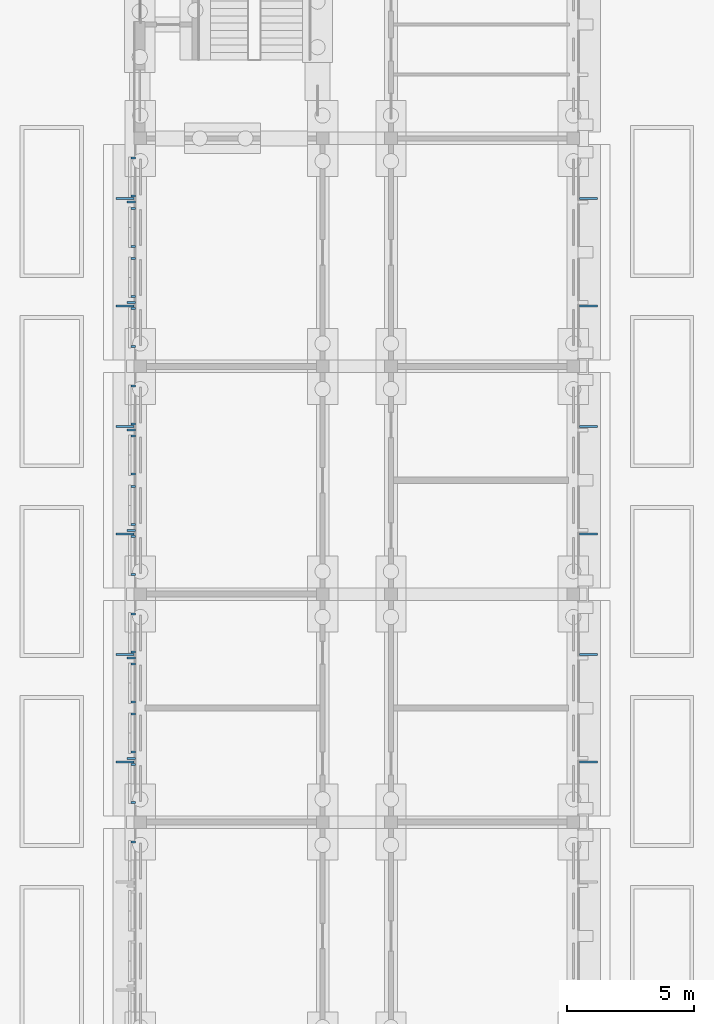
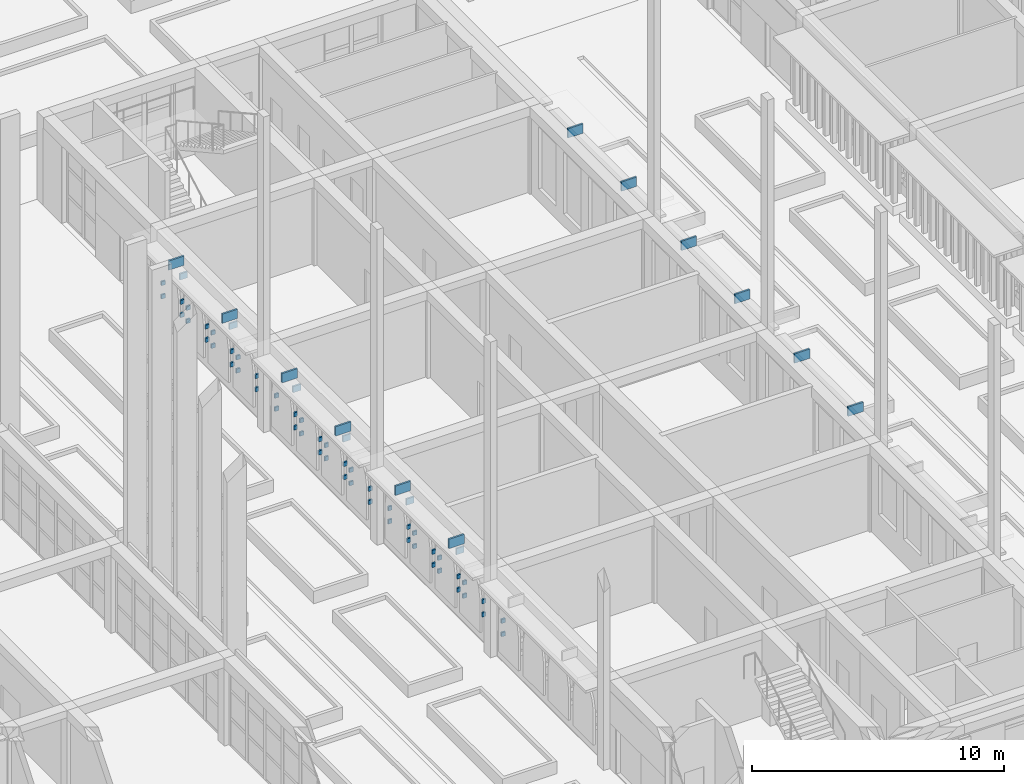
# One storey, part 81 of 161: 68 discrete accessories.
"""IFC4 building model written with IfcOpenShell, lengths in metres."""

from ifc_helpers import new_model, si_unit, direction, frame, origin, origin_2d, place, context, subcontext, project, spatial, rectangle, extrude, material, type_object, element, save


model = new_model("IFC4")

# Units and contexts
model_context = context("Model", 3, precision=1e-05, world=origin(), true_north=direction((0.0, 1.0)))
body_context = subcontext(model_context, "Body", "Model", "MODEL_VIEW")
ifc_project = project(units=[si_unit("LENGTHUNIT", "METRE"), si_unit("AREAUNIT", "SQUARE_METRE"), si_unit("VOLUMEUNIT", "CUBIC_METRE"), si_unit("PLANEANGLEUNIT", "RADIAN"), si_unit("MASSUNIT", "GRAM", prefix="KILO")], contexts=[model_context])

# Site, building, storey
site_placement = place(None, origin())
site = spatial("IfcSite", under=ifc_project, at=site_placement, CompositionType="ELEMENT")
building_placement = place(site_placement, origin())
building = spatial("IfcBuilding", under=site, at=building_placement, Name="Elbe Cascade School", CompositionType="ELEMENT")
storey_placement = place(building_placement, origin())
storey = spatial("IfcBuildingStorey", under=building, at=storey_placement, Name="L00", CompositionType="ELEMENT", Elevation=0.0)

# Discrete accessories
ifc_material = material(Name="Steel S355J2, hot-dip galvanised", Category="steel")
discrete_accessory_type = type_object("IfcDiscreteAccessoryType", Name="Bars envelope Bracket, galvanised steel", PredefinedType="BRACKET", material=ifc_material)
for number, where, z_axis, x_axis, name in (
    (1, (98.330078125, 23.219970703125, 1.2998046875), (0.0, 0.0, 1.0), (0.0, 1.0, 0.0), "Bracket AC7 jali.w.2.br4rl"),
    (2, (98.330078125, 23.219970703125, 1.93994140625), (0.0, 0.0, 1.0), (0.0, 1.0, 0.0), "Bracket AC7 jali.w.2.br4ru"),
):
    element("IfcDiscreteAccessory", number, at=place(storey_placement, frame(where, z_axis=z_axis, x_axis=x_axis)), inside=storey, type_object=discrete_accessory_type, Name=name, PredefinedType="BRACKET", context=body_context, shape_type="SweptSolid", body=[
        extrude(rectangle(XDim=0.080078125, YDim=0.179931640625, at=origin_2d()), origin(), (0.0, 0.0, 1.0), 0.199951171875),
    ])
for number, where, z_axis, x_axis, name in (
    (3, (98.2451171875, 26.52001953125, 3.330078125), (0.0, 0.0, 1.0), (0.0, 1.0, 0.0), "Bracket AC7 eave.w.3.br1"),
    (4, (98.2451171875, 30.47998046875, 3.330078125), (0.0, 0.0, 1.0), (0.0, 1.0, 0.0), "Bracket AC7 eave.w.3.br2"),
):
    element("IfcDiscreteAccessory", number, at=place(storey_placement, frame(where, z_axis=z_axis, x_axis=x_axis)), inside=storey, type_object=discrete_accessory_type, Name=name, PredefinedType="BRACKET", context=body_context, shape_type="SweptSolid", body=[
        extrude(rectangle(XDim=0.080078125, YDim=0.35009765625, at=origin_2d()), origin(), (0.0, 0.0, 1.0), 0.300048828125),
    ])
for number, where, z_axis, x_axis, name in (
    (5, (98.330078125, 24.780029296875, 1.2998046875), (0.0, 0.0, 1.0), (0.0, 1.0, 0.0), "Bracket AC7 jali.w.3.br1ll"),
    (6, (98.330078125, 24.780029296875, 1.93994140625), (0.0, 0.0, 1.0), (0.0, 1.0, 0.0), "Bracket AC7 jali.w.3.br1lu"),
    (7, (98.330078125, 26.280029296875, 1.2998046875), (0.0, 0.0, 1.0), (0.0, 1.0, 0.0), "Bracket AC7 jali.w.3.br1rl"),
    (8, (98.330078125, 26.280029296875, 1.93994140625), (0.0, 0.0, 1.0), (0.0, 1.0, 0.0), "Bracket AC7 jali.w.3.br1ru"),
    (9, (98.330078125, 26.760009765625, 1.2998046875), (0.0, 0.0, 1.0), (0.0, 1.0, 0.0), "Bracket AC7 jali.w.3.br2ll"),
    (10, (98.330078125, 26.760009765625, 1.93994140625), (0.0, 0.0, 1.0), (0.0, 1.0, 0.0), "Bracket AC7 jali.w.3.br2lu"),
    (11, (98.330078125, 28.260009765625, 1.2998046875), (0.0, 0.0, 1.0), (0.0, 1.0, 0.0), "Bracket AC7 jali.w.3.br2rl"),
    (12, (98.330078125, 28.260009765625, 1.93994140625), (0.0, 0.0, 1.0), (0.0, 1.0, 0.0), "Bracket AC7 jali.w.3.br2ru"),
    (13, (98.330078125, 28.739990234375, 1.2998046875), (0.0, 0.0, 1.0), (0.0, 1.0, 0.0), "Bracket AC7 jali.w.3.br3ll"),
    (14, (98.330078125, 28.739990234375, 1.93994140625), (0.0, 0.0, 1.0), (0.0, 1.0, 0.0), "Bracket AC7 jali.w.3.br3lu"),
    (15, (98.330078125, 30.239990234375, 1.2998046875), (0.0, 0.0, 1.0), (0.0, 1.0, 0.0), "Bracket AC7 jali.w.3.br3rl"),
    (16, (98.330078125, 30.239990234375, 1.93994140625), (0.0, 0.0, 1.0), (0.0, 1.0, 0.0), "Bracket AC7 jali.w.3.br3ru"),
    (17, (98.330078125, 30.719970703125, 1.2998046875), (0.0, 0.0, 1.0), (0.0, 1.0, 0.0), "Bracket AC7 jali.w.3.br4ll"),
    (18, (98.330078125, 30.719970703125, 1.93994140625), (0.0, 0.0, 1.0), (0.0, 1.0, 0.0), "Bracket AC7 jali.w.3.br4lu"),
    (19, (98.330078125, 32.219970703125, 1.2998046875), (0.0, 0.0, 1.0), (0.0, 1.0, 0.0), "Bracket AC7 jali.w.3.br4rl"),
    (20, (98.330078125, 32.219970703125, 1.93994140625), (0.0, 0.0, 1.0), (0.0, 1.0, 0.0), "Bracket AC7 jali.w.3.br4ru"),
):
    element("IfcDiscreteAccessory", number, at=place(storey_placement, frame(where, z_axis=z_axis, x_axis=x_axis)), inside=storey, type_object=discrete_accessory_type, Name=name, PredefinedType="BRACKET", context=body_context, shape_type="SweptSolid", body=[
        extrude(rectangle(XDim=0.080078125, YDim=0.179931640625, at=origin_2d()), origin(), (0.0, 0.0, 1.0), 0.199951171875),
    ])
for number, where, z_axis, x_axis, name in (
    (21, (98.2451171875, 35.52001953125, 3.330078125), (0.0, 0.0, 1.0), (0.0, 1.0, 0.0), "Bracket AC7 eave.w.4.br1"),
    (22, (98.2451171875, 39.47998046875, 3.330078125), (0.0, 0.0, 1.0), (0.0, 1.0, 0.0), "Bracket AC7 eave.w.4.br2"),
):
    element("IfcDiscreteAccessory", number, at=place(storey_placement, frame(where, z_axis=z_axis, x_axis=x_axis)), inside=storey, type_object=discrete_accessory_type, Name=name, PredefinedType="BRACKET", context=body_context, shape_type="SweptSolid", body=[
        extrude(rectangle(XDim=0.080078125, YDim=0.35009765625, at=origin_2d()), origin(), (0.0, 0.0, 1.0), 0.300048828125),
    ])
for number, where, z_axis, x_axis, name in (
    (23, (98.330078125, 33.780029296875, 1.2998046875), (0.0, 0.0, 1.0), (0.0, 1.0, 0.0), "Bracket AC7 jali.w.4.br1ll"),
    (24, (98.330078125, 33.780029296875, 1.93994140625), (0.0, 0.0, 1.0), (0.0, 1.0, 0.0), "Bracket AC7 jali.w.4.br1lu"),
    (25, (98.330078125, 35.280029296875, 1.2998046875), (0.0, 0.0, 1.0), (0.0, 1.0, 0.0), "Bracket AC7 jali.w.4.br1rl"),
    (26, (98.330078125, 35.280029296875, 1.93994140625), (0.0, 0.0, 1.0), (0.0, 1.0, 0.0), "Bracket AC7 jali.w.4.br1ru"),
    (27, (98.330078125, 35.760009765625, 1.2998046875), (0.0, 0.0, 1.0), (0.0, 1.0, 0.0), "Bracket AC7 jali.w.4.br2ll"),
    (28, (98.330078125, 35.760009765625, 1.93994140625), (0.0, 0.0, 1.0), (0.0, 1.0, 0.0), "Bracket AC7 jali.w.4.br2lu"),
    (29, (98.330078125, 37.260009765625, 1.2998046875), (0.0, 0.0, 1.0), (0.0, 1.0, 0.0), "Bracket AC7 jali.w.4.br2rl"),
    (30, (98.330078125, 37.260009765625, 1.93994140625), (0.0, 0.0, 1.0), (0.0, 1.0, 0.0), "Bracket AC7 jali.w.4.br2ru"),
    (31, (98.330078125, 37.739990234375, 1.2998046875), (0.0, 0.0, 1.0), (0.0, 1.0, 0.0), "Bracket AC7 jali.w.4.br3ll"),
    (32, (98.330078125, 37.739990234375, 1.93994140625), (0.0, 0.0, 1.0), (0.0, 1.0, 0.0), "Bracket AC7 jali.w.4.br3lu"),
    (33, (98.330078125, 39.239990234375, 1.2998046875), (0.0, 0.0, 1.0), (0.0, 1.0, 0.0), "Bracket AC7 jali.w.4.br3rl"),
    (34, (98.330078125, 39.239990234375, 1.93994140625), (0.0, 0.0, 1.0), (0.0, 1.0, 0.0), "Bracket AC7 jali.w.4.br3ru"),
    (35, (98.330078125, 39.719970703125, 1.2998046875), (0.0, 0.0, 1.0), (0.0, 1.0, 0.0), "Bracket AC7 jali.w.4.br4ll"),
    (36, (98.330078125, 39.719970703125, 1.93994140625), (0.0, 0.0, 1.0), (0.0, 1.0, 0.0), "Bracket AC7 jali.w.4.br4lu"),
    (37, (98.330078125, 41.219970703125, 1.2998046875), (0.0, 0.0, 1.0), (0.0, 1.0, 0.0), "Bracket AC7 jali.w.4.br4rl"),
    (38, (98.330078125, 41.219970703125, 1.93994140625), (0.0, 0.0, 1.0), (0.0, 1.0, 0.0), "Bracket AC7 jali.w.4.br4ru"),
):
    element("IfcDiscreteAccessory", number, at=place(storey_placement, frame(where, z_axis=z_axis, x_axis=x_axis)), inside=storey, type_object=discrete_accessory_type, Name=name, PredefinedType="BRACKET", context=body_context, shape_type="SweptSolid", body=[
        extrude(rectangle(XDim=0.080078125, YDim=0.179931640625, at=origin_2d()), origin(), (0.0, 0.0, 1.0), 0.199951171875),
    ])
for number, where, z_axis, x_axis, name in (
    (39, (98.2451171875, 44.52001953125, 3.330078125), (0.0, 0.0, 1.0), (0.0, 1.0, 0.0), "Bracket AC7 eave.w.5.br1"),
    (40, (98.2451171875, 48.47998046875, 3.330078125), (0.0, 0.0, 1.0), (0.0, 1.0, 0.0), "Bracket AC7 eave.w.5.br2"),
):
    element("IfcDiscreteAccessory", number, at=place(storey_placement, frame(where, z_axis=z_axis, x_axis=x_axis)), inside=storey, type_object=discrete_accessory_type, Name=name, PredefinedType="BRACKET", context=body_context, shape_type="SweptSolid", body=[
        extrude(rectangle(XDim=0.080078125, YDim=0.35009765625, at=origin_2d()), origin(), (0.0, 0.0, 1.0), 0.300048828125),
    ])
for number, where, z_axis, x_axis, name in (
    (41, (98.330078125, 42.780029296875, 1.2998046875), (0.0, 0.0, 1.0), (0.0, 1.0, 0.0), "Bracket AC7 jali.w.5.br1ll"),
    (42, (98.330078125, 42.780029296875, 1.93994140625), (0.0, 0.0, 1.0), (0.0, 1.0, 0.0), "Bracket AC7 jali.w.5.br1lu"),
    (43, (98.330078125, 44.280029296875, 1.2998046875), (0.0, 0.0, 1.0), (0.0, 1.0, 0.0), "Bracket AC7 jali.w.5.br1rl"),
    (44, (98.330078125, 44.280029296875, 1.93994140625), (0.0, 0.0, 1.0), (0.0, 1.0, 0.0), "Bracket AC7 jali.w.5.br1ru"),
    (45, (98.330078125, 44.760009765625, 1.2998046875), (0.0, 0.0, 1.0), (0.0, 1.0, 0.0), "Bracket AC7 jali.w.5.br2ll"),
    (46, (98.330078125, 44.760009765625, 1.93994140625), (0.0, 0.0, 1.0), (0.0, 1.0, 0.0), "Bracket AC7 jali.w.5.br2lu"),
    (47, (98.330078125, 46.260009765625, 1.2998046875), (0.0, 0.0, 1.0), (0.0, 1.0, 0.0), "Bracket AC7 jali.w.5.br2rl"),
    (48, (98.330078125, 46.260009765625, 1.93994140625), (0.0, 0.0, 1.0), (0.0, 1.0, 0.0), "Bracket AC7 jali.w.5.br2ru"),
    (49, (98.330078125, 46.739990234375, 1.2998046875), (0.0, 0.0, 1.0), (0.0, 1.0, 0.0), "Bracket AC7 jali.w.5.br3ll"),
    (50, (98.330078125, 46.739990234375, 1.93994140625), (0.0, 0.0, 1.0), (0.0, 1.0, 0.0), "Bracket AC7 jali.w.5.br3lu"),
    (51, (98.330078125, 48.239990234375, 1.2998046875), (0.0, 0.0, 1.0), (0.0, 1.0, 0.0), "Bracket AC7 jali.w.5.br3rl"),
    (52, (98.330078125, 48.239990234375, 1.93994140625), (0.0, 0.0, 1.0), (0.0, 1.0, 0.0), "Bracket AC7 jali.w.5.br3ru"),
    (53, (98.330078125, 48.719970703125, 1.2998046875), (0.0, 0.0, 1.0), (0.0, 1.0, 0.0), "Bracket AC7 jali.w.5.br4ll"),
    (54, (98.330078125, 48.719970703125, 1.93994140625), (0.0, 0.0, 1.0), (0.0, 1.0, 0.0), "Bracket AC7 jali.w.5.br4lu"),
    (55, (98.330078125, 50.219970703125, 1.2998046875), (0.0, 0.0, 1.0), (0.0, 1.0, 0.0), "Bracket AC7 jali.w.5.br4rl"),
    (56, (98.330078125, 50.219970703125, 1.93994140625), (0.0, 0.0, 1.0), (0.0, 1.0, 0.0), "Bracket AC7 jali.w.5.br4ru"),
):
    element("IfcDiscreteAccessory", number, at=place(storey_placement, frame(where, z_axis=z_axis, x_axis=x_axis)), inside=storey, type_object=discrete_accessory_type, Name=name, PredefinedType="BRACKET", context=body_context, shape_type="SweptSolid", body=[
        extrude(rectangle(XDim=0.080078125, YDim=0.179931640625, at=origin_2d()), origin(), (0.0, 0.0, 1.0), 0.199951171875),
    ])
for number, where, z_axis, x_axis, name in (
    (57, (98.0, 26.375, 3.8701171875), (0.0, 0.0, 1.0), (0.0, 1.0, 0.0), "Bracket AC7 chslab.w.2.1.br1"),
    (58, (98.0, 30.625, 3.8701171875), (0.0, 0.0, 1.0), (0.0, 1.0, 0.0), "Bracket AC7 chslab.w.2.1.br2"),
    (59, (98.0, 35.375, 3.8701171875), (0.0, 0.0, 1.0), (0.0, 1.0, 0.0), "Bracket AC7 chslab.w.3.1.br1"),
    (60, (98.0, 39.625, 3.8701171875), (0.0, 0.0, 1.0), (0.0, 1.0, 0.0), "Bracket AC7 chslab.w.3.1.br2"),
    (61, (98.0, 44.375, 3.8701171875), (0.0, 0.0, 1.0), (0.0, 1.0, 0.0), "Bracket AC7 chslab.w.4.1.br1"),
    (62, (98.0, 48.625, 3.8701171875), (0.0, 0.0, 1.0), (0.0, 1.0, 0.0), "Bracket AC7 chslab.w.4.1.br2"),
    (63, (116.300048828125, 26.375, 3.8701171875), (0.0, 0.0, 1.0), (0.0, 1.0, 0.0), "Bracket AC7 chslab.e.2.1.br1"),
    (64, (116.300048828125, 30.625, 3.8701171875), (0.0, 0.0, 1.0), (0.0, 1.0, 0.0), "Bracket AC7 chslab.e.2.1.br2"),
    (65, (116.300048828125, 35.375, 3.8701171875), (0.0, 0.0, 1.0), (0.0, 1.0, 0.0), "Bracket AC7 chslab.e.3.1.br1"),
    (66, (116.300048828125, 39.625, 3.8701171875), (0.0, 0.0, 1.0), (0.0, 1.0, 0.0), "Bracket AC7 chslab.e.3.1.br2"),
    (67, (116.300048828125, 44.375, 3.8701171875), (0.0, 0.0, 1.0), (0.0, 1.0, 0.0), "Bracket AC7 chslab.e.4.1.br1"),
    (68, (116.300048828125, 48.625, 3.8701171875), (0.0, 0.0, 1.0), (0.0, 1.0, 0.0), "Bracket AC7 chslab.e.4.1.br2"),
):
    element("IfcDiscreteAccessory", number, at=place(storey_placement, frame(where, z_axis=z_axis, x_axis=x_axis)), inside=storey, type_object=discrete_accessory_type, Name=name, PredefinedType="BRACKET", context=body_context, shape_type="SweptSolid", body=[
        extrude(rectangle(XDim=0.080078125, YDim=0.699951171875, at=origin_2d()), origin(), (0.0, 0.0, 1.0), 0.449951171875),
    ])

save(model, "model.ifc")
